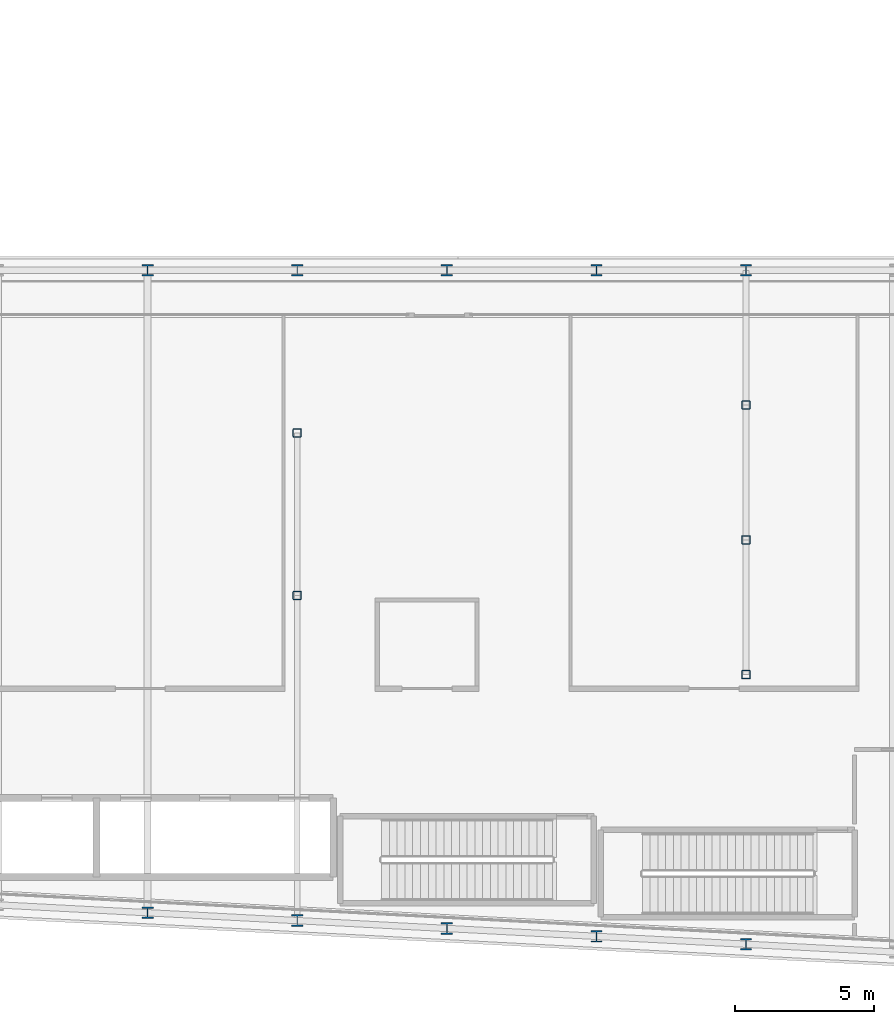
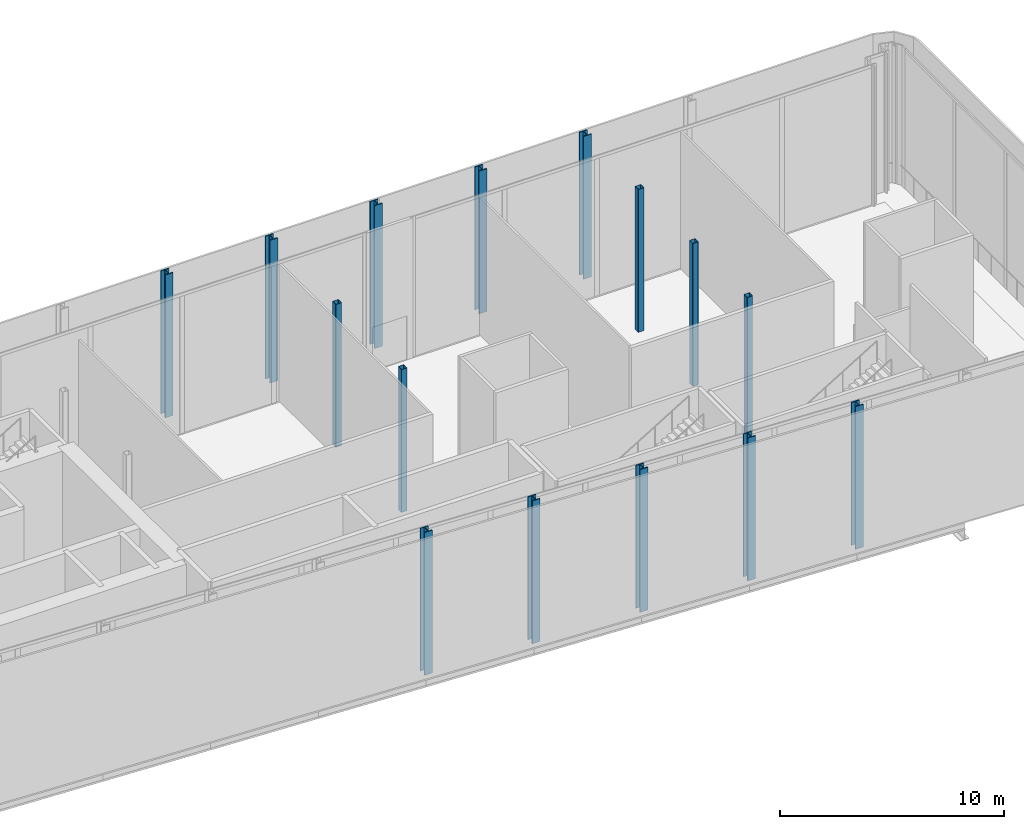
# One storey, part 2 of 37: 15 columns.
"""IFC4 building model written with IfcOpenShell, lengths in metres."""

from ifc_helpers import new_model, si_unit, direction, frame, origin, origin_2d, place, context, subcontext, project, spatial, hollow_rectangle, i_section, extrude, material, material_profile, profile_set, type_object, element, save


model = new_model("IFC4")

# Units and contexts
model_context = context("Model", 3, precision=1e-05, world=origin(), true_north=direction((0.0, 1.0)))
body_context = subcontext(model_context, "Body", "Model", "MODEL_VIEW")
ifc_project = project(units=[si_unit("LENGTHUNIT", "METRE"), si_unit("AREAUNIT", "SQUARE_METRE"), si_unit("VOLUMEUNIT", "CUBIC_METRE"), si_unit("PLANEANGLEUNIT", "RADIAN"), si_unit("MASSUNIT", "GRAM", prefix="KILO")], contexts=[model_context])

# Site, building, storey
site_placement = place(None, origin())
site = spatial("IfcSite", under=ifc_project, at=site_placement, CompositionType="ELEMENT")
building_placement = place(site_placement, origin())
building = spatial("IfcBuilding", under=site, at=building_placement, Name="Kheshtan School and Residences Tower", CompositionType="ELEMENT")
storey_placement = place(building_placement, frame((0.0, 0.0, 144.800048828125)))
storey = spatial("IfcBuildingStorey", under=building, at=storey_placement, Name="L34", CompositionType="ELEMENT", Elevation=144.800048828125)

# Columns
ifc_material_1 = material(Name="Steel ASTM A992 Grade 50", Category="steel")
ifc_material_profile_1 = material_profile(ifc_material_1, i_section(OverallWidth=0.408935546875, OverallDepth=0.425048828125, WebThickness=0.03271484375, FlangeThickness=0.052490234375, FilletRadius=0.0126953125, at=origin_2d()), Name="W360x421")
ifc_profile_set_1 = profile_set([ifc_material_profile_1], Name="Steel ASTM A992 Grade 50")
column_type_1 = type_object("IfcColumnType", Name="Column C3 W360x421 ASTM A992 Grade 50", PredefinedType="COLUMN", material=ifc_profile_set_1)
for number, where, z_axis, x_axis, name in (
    (1, (85.39990234375, 21.27392578125, 0.0), (0.0, 0.0, 1.0), (1.0, 0.0, 0.0), "Column C008"),
    (2, (80.0, 21.55810546875, 0.0), (0.0, 0.0, 1.0), (1.0, 0.0, 0.0), "Column C012"),
    (3, (74.60009765625, 21.843017578125, 0.0), (0.0, 0.0, 1.0), (1.0, 0.0, 0.0), "Column C013"),
    (4, (69.199951171875, 22.126953125, 0.0), (0.0, 0.0, 1.0), (1.0, 0.0, 0.0), "Column C014"),
    (5, (63.800048828125, 22.410888671875, 0.0), (0.0, 0.0, 1.0), (1.0, 0.0, 0.0), "Column C016"),
    (6, (63.800048828125, 45.60009765625, 0.0), (0.0, 0.0, 1.0), (1.0, 0.0, 0.0), "Column C063"),
    (7, (69.199951171875, 45.60009765625, 0.0), (0.0, 0.0, 1.0), (1.0, 0.0, 0.0), "Column C064"),
    (8, (74.60009765625, 45.60009765625, 0.0), (0.0, 0.0, 1.0), (1.0, 0.0, 0.0), "Column C065"),
    (9, (80.0, 45.60009765625, 0.0), (0.0, 0.0, 1.0), (1.0, 0.0, 0.0), "Column C066"),
    (10, (85.39990234375, 45.60009765625, 0.0), (0.0, 0.0, 1.0), (1.0, 0.0, 0.0), "Column C067"),
):
    element("IfcColumn", number, at=place(storey_placement, frame(where, z_axis=z_axis, x_axis=x_axis)), inside=storey, type_object=column_type_1, Name=name, PredefinedType="COLUMN", context=body_context, shape_type="SweptSolid", body=[
        extrude(i_section(OverallWidth=0.408935546875, OverallDepth=0.425048828125, WebThickness=0.03271484375, FlangeThickness=0.052490234375, FilletRadius=0.0126953125, at=origin_2d()), origin(), (0.0, 0.0, 1.0), 7.800048828125),
    ])
ifc_material_2 = material(Name="Steel ASTM A500 Grade C", Category="steel")
ifc_material_profile_2 = material_profile(ifc_material_2, hollow_rectangle(XDim=0.304931640625, YDim=0.304931640625, WallThickness=0.015869140625, InnerFilletRadius=0.015869140625, OuterFilletRadius=0.03173828125, at=origin_2d()), Name="HSS 305x305x15.9")
ifc_profile_set_2 = profile_set([ifc_material_profile_2], Name="Steel ASTM A500 Grade C")
column_type_2 = type_object("IfcColumnType", Name="Column IC2 HSS 305x305x15.9 ASTM A500 Grade C", PredefinedType="COLUMN", material=ifc_profile_set_2)
for number, where, z_axis, x_axis, name in (
    (11, (85.39990234375, 31.0048828125, 0.0), (0.0, 0.0, 1.0), (1.0, 0.0, 0.0), "Column C049"),
    (12, (69.199951171875, 33.863037109375, 0.0), (0.0, 0.0, 1.0), (1.0, 0.0, 0.0), "Column C050"),
    (13, (85.39990234375, 35.8701171875, 0.0), (0.0, 0.0, 1.0), (1.0, 0.0, 0.0), "Column C053"),
    (14, (69.199951171875, 39.73193359375, 0.0), (0.0, 0.0, 1.0), (1.0, 0.0, 0.0), "Column C054"),
    (15, (85.39990234375, 40.735107421875, 0.0), (0.0, 0.0, 1.0), (1.0, 0.0, 0.0), "Column C057"),
):
    element("IfcColumn", number, at=place(storey_placement, frame(where, z_axis=z_axis, x_axis=x_axis)), inside=storey, type_object=column_type_2, Name=name, PredefinedType="COLUMN", context=body_context, shape_type="SweptSolid", body=[
        extrude(hollow_rectangle(XDim=0.304931640625, YDim=0.304931640625, WallThickness=0.015869140625, InnerFilletRadius=0.015869140625, OuterFilletRadius=0.03173828125, at=origin_2d()), origin(), (0.0, 0.0, 1.0), 7.800048828125),
    ])

save(model, "model.ifc")
